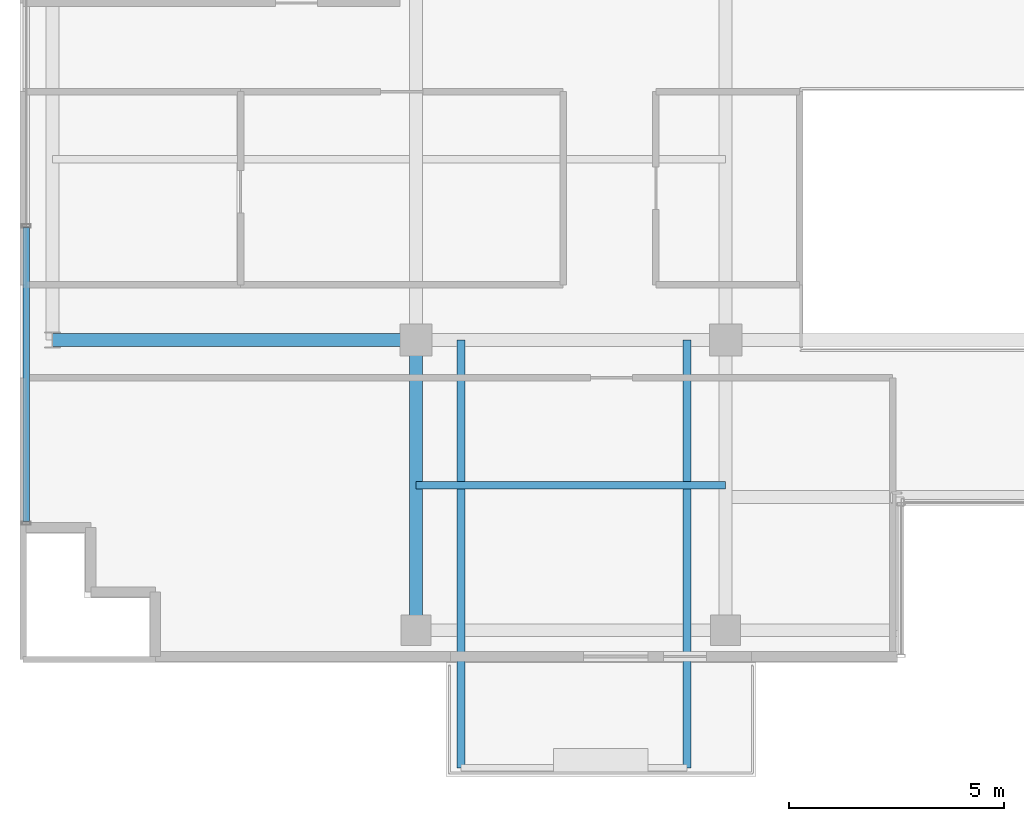
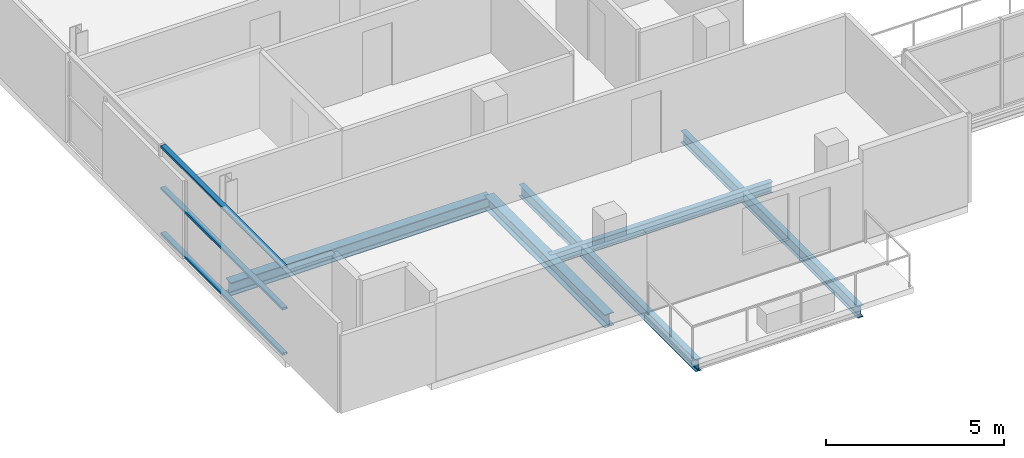
# One storey, part 3 of 23: 5 beams, 3 members, 1 element without a shape of its own.
"""IFC4 building model written with IfcOpenShell, lengths in metres."""

from ifc_helpers import new_model, si_unit, direction, frame, origin, origin_2d, place, context, subcontext, project, spatial, hollow_rectangle, i_section, extrude, source, transform, mapped, material, layer, layer_set, material_profile, profile_set, type_object, element, aggregate, save


model = new_model("IFC4")

# Units and contexts
model_context = context("Model", 3, precision=1e-05, world=origin(), true_north=direction((0.0, 1.0)))
body_context = subcontext(model_context, "Body", "Model", "MODEL_VIEW")
ifc_project = project(units=[si_unit("LENGTHUNIT", "METRE"), si_unit("AREAUNIT", "SQUARE_METRE"), si_unit("VOLUMEUNIT", "CUBIC_METRE"), si_unit("PLANEANGLEUNIT", "RADIAN"), si_unit("MASSUNIT", "GRAM", prefix="KILO")], contexts=[model_context])

# Site, building, storey
site_placement = place(None, origin())
site = spatial("IfcSite", under=ifc_project, at=site_placement, CompositionType="ELEMENT")
building_placement = place(site_placement, origin())
building = spatial("IfcBuilding", under=site, at=building_placement, Name="Zarnakvel Exchange Tower", CompositionType="ELEMENT")
storey_placement = place(building_placement, frame((0.0, 0.0, 212.199951171875)))
storey = spatial("IfcBuildingStorey", under=building, at=storey_placement, Name="L59", CompositionType="ELEMENT", Elevation=212.199951171875)

# Beams
ifc_material_1 = material(Name="Steel S355", Category="steel")
ifc_material_profile_1 = material_profile(ifc_material_1, i_section(OverallWidth=0.179931640625, OverallDepth=0.39990234375, WebThickness=0.008544921875, FlangeThickness=0.013427734375, FilletRadius=0.02099609375, at=origin_2d()))
ifc_profile_set_1 = profile_set([ifc_material_profile_1], Name="Steel S355")
beam_type_1 = type_object("IfcBeamType", Name="B-06", PredefinedType="JOIST", material=ifc_profile_set_1)
for number, where, z_axis, x_axis, name in (
    (1, (-13.35009765625, -9.60009765625, -0.425048828125), (0.0, -1.0, 0.0), (1.0, 0.0, 0.0), "L59 Continuous Back-Spanned Balcony Beam W"),
    (2, (-8.10009765625, -9.60009765625, -0.425048828125), (0.0, -1.0, 0.0), (1.0, 0.0, 0.0), "L59 Continuous Back-Spanned Balcony Beam E"),
):
    element("IfcBeam", number, at=place(storey_placement, frame(where, z_axis=z_axis, x_axis=x_axis)), inside=storey, type_object=beam_type_1, Name=name, PredefinedType="JOIST", context=body_context, shape_type="SweptSolid", body=[
        extrude(i_section(OverallWidth=0.179931640625, OverallDepth=0.39990234375, WebThickness=0.008544921875, FlangeThickness=0.013427734375, FilletRadius=0.02099609375, at=origin_2d()), origin(), (0.0, 0.0, 1.0), 9.949951171875),
    ])
ifc_material_profile_2 = material_profile(ifc_material_1, i_section(OverallWidth=0.169921875, OverallDepth=0.360107421875, WebThickness=0.008056640625, FlangeThickness=0.0126953125, FilletRadius=0.01806640625, at=origin_2d()))
ifc_profile_set_2 = profile_set([ifc_material_profile_2], Name="Steel S355")
beam_type_2 = type_object("IfcBeamType", Name="B-07", PredefinedType="JOIST", material=ifc_profile_set_2)
beam_1_placement = place(storey_placement, frame((-14.39990234375, -12.97509765625, -0.405029296875), z_axis=(1.0, 0.0, 0.0), x_axis=(0.0, 1.0, 0.0)))
element("IfcBeam", 3, at=beam_1_placement, inside=storey, type_object=beam_type_2, Name="L59 Composite Floor Secondary Joist", PredefinedType="JOIST", context=body_context, shape_type="SweptSolid", body=[
    extrude(i_section(OverallWidth=0.169921875, OverallDepth=0.360107421875, WebThickness=0.008056640625, FlangeThickness=0.0126953125, FilletRadius=0.01806640625, at=origin_2d()), origin(), (0.0, 0.0, 1.0), 7.199951171875),
])
ifc_material_profile_3 = material_profile(ifc_material_1, i_section(OverallWidth=0.300048828125, OverallDepth=0.449951171875, WebThickness=0.013916015625, FlangeThickness=0.02587890625, FilletRadius=0.027099609375, at=origin_2d()))
ifc_profile_set_3 = profile_set([ifc_material_profile_3], Name="Steel S355")
beam_type_3 = type_object("IfcBeamType", Name="G-07", PredefinedType="BEAM", material=ifc_profile_set_3)
beam_2_placement = place(storey_placement, frame((-22.85009765625, -9.60009765625, -0.449951171875), z_axis=(1.0, 0.0, 0.0), x_axis=(0.0, 1.0, 0.0)))
element("IfcBeam", 4, at=beam_2_placement, inside=storey, type_object=beam_type_3, Name="L59 Tower E-W Frame Beam", PredefinedType="BEAM", context=body_context, shape_type="SweptSolid", body=[
    extrude(i_section(OverallWidth=0.300048828125, OverallDepth=0.449951171875, WebThickness=0.013916015625, FlangeThickness=0.02587890625, FilletRadius=0.027099609375, at=origin_2d()), origin(), (0.0, 0.0, 1.0), 8.4501953125),
])
beam_3_placement = place(storey_placement, frame((-14.39990234375, -16.35009765625, -0.449951171875), z_axis=(0.0, 1.0, 0.0), x_axis=(-1.0, 0.0, 0.0)))
element("IfcBeam", 5, at=beam_3_placement, inside=storey, type_object=beam_type_3, Name="L59 Tower N-S Frame Beam", PredefinedType="BEAM", context=body_context, shape_type="SweptSolid", body=[
    extrude(i_section(OverallWidth=0.300048828125, OverallDepth=0.449951171875, WebThickness=0.013916015625, FlangeThickness=0.02587890625, FilletRadius=0.027099609375, at=origin_2d()), origin(), (0.0, 0.0, 1.0), 6.75),
])

# Curtain wall, members
ifc_material_2 = material(Name="Architectural Bronze Anodised Aluminium", Category="aluminium")
ifc_layer = layer(ifc_material_2, 0.199951171875)
ifc_layer_set = layer_set([ifc_layer], Name="Architectural Bronze Anodised Aluminium")
curtain_wall_type = type_object("IfcCurtainWallType", Name="CW-04", PredefinedType="NOTDEFINED", material=ifc_layer_set)
curtain_wall_placement = place(storey_placement, origin())
curtain_wall = element("IfcCurtainWall", 6, at=curtain_wall_placement, inside=storey, type_object=curtain_wall_type, Name="L59 Curtain Wall CW-L59-W1 (CW-04)", PredefinedType="NOTDEFINED")
ifc_material_profile_4 = material_profile(ifc_material_2, hollow_rectangle(XDim=0.159912109375, YDim=0.074951171875, WallThickness=0.00390625, at=origin_2d()))
ifc_profile_set_4 = profile_set([ifc_material_profile_4], Name="Architectural Bronze Anodised Aluminium")
member_type = type_object("IfcMemberType", Name="CWT-04", PredefinedType="USERDEFINED", material=ifc_profile_set_4)
shared_shape = source(origin(), body_context, "Body", "SweptSolid", [
    extrude(hollow_rectangle(XDim=0.159912109375, YDim=0.074951171875, WallThickness=0.00390625, at=origin_2d()), origin(), (0.0, 0.0, 1.0), 6.83740234375),
])
member_1_placement = place(storey_placement, frame((-23.4599609375, -13.824951171875, 0.03759765625), z_axis=(0.0, 1.0, 0.0), x_axis=(-1.0, 0.0, 0.0)))
member_1 = element("IfcMember", 7, at=member_1_placement, type_object=member_type, Name="CW-04 transom 1.1", ObjectType="TRANSOM", PredefinedType="USERDEFINED", context=body_context, shape_type="MappedRepresentation", body=[
    mapped(shared_shape, transform((0.0, 0.0, 0.0), x_axis=(1.0, 0.0, 0.0), y_axis=(0.0, 1.0, 0.0), z_axis=(0.0, 0.0, 1.0), scale=1.0)),
])
member_2_placement = place(storey_placement, frame((-23.4599609375, -13.824951171875, 1.588623046875), z_axis=(0.0, 1.0, 0.0), x_axis=(-1.0, 0.0, 0.0)))
member_2 = element("IfcMember", 8, at=member_2_placement, type_object=member_type, Name="CW-04 transom 1.2", ObjectType="TRANSOM", PredefinedType="USERDEFINED", context=body_context, shape_type="MappedRepresentation", body=[
    mapped(shared_shape, transform((0.0, 0.0, 0.0), x_axis=(1.0, 0.0, 0.0), y_axis=(0.0, 1.0, 0.0), z_axis=(0.0, 0.0, 1.0), scale=1.0)),
])
member_3_placement = place(storey_placement, frame((-23.4599609375, -13.824951171875, 3.017578125), z_axis=(0.0, 1.0, 0.0), x_axis=(-1.0, 0.0, 0.0)))
member_3 = element("IfcMember", 9, at=member_3_placement, type_object=member_type, Name="CW-04 transom 1.3", ObjectType="TRANSOM", PredefinedType="USERDEFINED", context=body_context, shape_type="MappedRepresentation", body=[
    mapped(shared_shape, transform((0.0, 0.0, 0.0), x_axis=(1.0, 0.0, 0.0), y_axis=(0.0, 1.0, 0.0), z_axis=(0.0, 0.0, 1.0), scale=1.0)),
])
aggregate(curtain_wall, [member_1, member_2, member_3])

save(model, "model.ifc")
